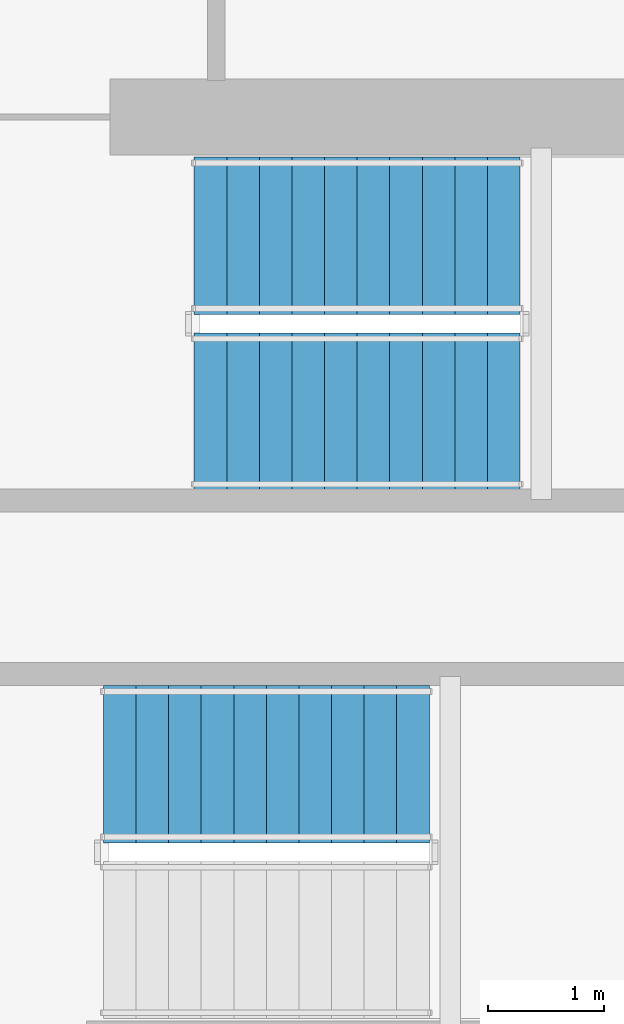
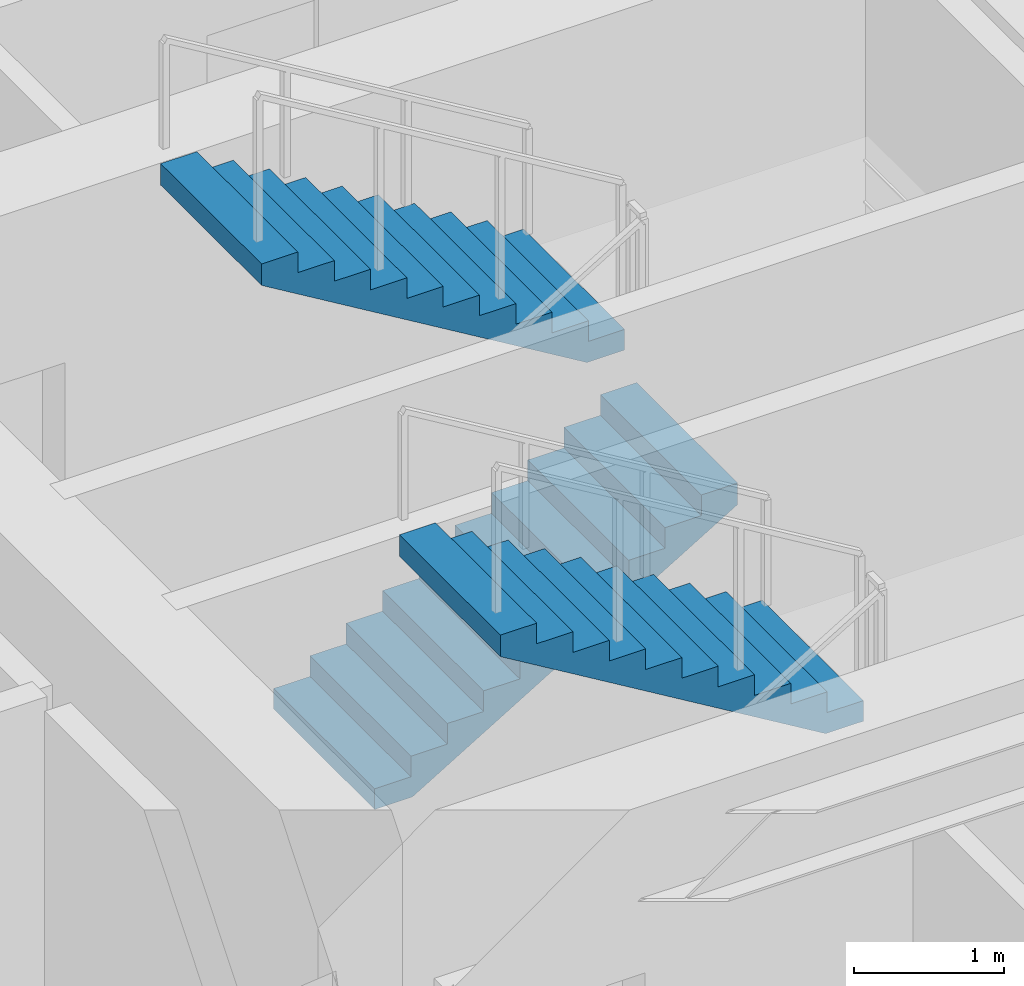
# One storey, part 19 of 23: 3 stair flights, 2 elements without a shape of their own.
"""IFC4 building model written with IfcOpenShell, lengths in metres."""

from ifc_helpers import new_model, si_unit, direction, frame, origin, place, context, subcontext, project, spatial, polyline, outline, extrude, material, type_object, element, aggregate, save


model = new_model("IFC4")

# Units and contexts
model_context = context("Model", 3, precision=1e-05, world=origin(), true_north=direction((0.0, 1.0)))
body_context = subcontext(model_context, "Body", "Model", "MODEL_VIEW")
ifc_project = project(units=[si_unit("LENGTHUNIT", "METRE"), si_unit("AREAUNIT", "SQUARE_METRE"), si_unit("VOLUMEUNIT", "CUBIC_METRE"), si_unit("PLANEANGLEUNIT", "RADIAN"), si_unit("MASSUNIT", "GRAM", prefix="KILO")], contexts=[model_context])

# Site, building, storey
site_placement = place(None, origin())
site = spatial("IfcSite", under=ifc_project, at=site_placement, CompositionType="ELEMENT")
building_placement = place(site_placement, origin())
building = spatial("IfcBuilding", under=site, at=building_placement, Name="Qianvela Tower", CompositionType="ELEMENT")
storey_placement = place(building_placement, frame((0.0, 0.0, 78.39990234375)))
storey = spatial("IfcBuildingStorey", under=building, at=storey_placement, Name="L19", CompositionType="ELEMENT", Elevation=78.39990234375)

# Stair, stair flights
ifc_material_1 = material(Name="Concrete C40", Category="concrete")
stair_type = type_object("IfcStairType", Name="ST-DOGLEG-1350-R168-N22", PredefinedType="HALF_TURN_STAIR", material=ifc_material_1)
stair_1_placement = place(storey_placement, origin())
stair_1 = element("IfcStair", 1, at=stair_1_placement, inside=storey, type_object=stair_type, Name="L19 Smoke-Proof Core Stair ST-1", PredefinedType="HALF_TURN_STAIR")
ifc_material_2 = material(Name="Concrete C40", Category="concrete")
stair_flight_type = type_object("IfcStairFlightType", Name="STF-STRAIGHT-R168-P11", PredefinedType="STRAIGHT", material=ifc_material_2)
stair_flight_1_placement = place(storey_placement, frame((32.199951171875, 30.215087890625, 0.0), z_axis=(0.0, 0.0, 1.0), x_axis=(1.0, 0.0, 0.0)))
stair_flight_1 = element("IfcStairFlight", 2, at=stair_flight_1_placement, type_object=stair_flight_type, Name="ST-1 flight 1", NumberOfRisers=11, NumberOfTreads=10, PredefinedType="STRAIGHT", RiserHeight=0.168181818, TreadLength=0.28, context=body_context, shape_type="SweptSolid", body=[
    extrude(outline(polyline([(0.0, 0.0), (0.0, 0.168212890625), (0.280029296875, 0.168212890625), (0.280029296875, 0.33642578125), (0.56005859375, 0.33642578125), (0.56005859375, 0.504638671875), (0.840087890625, 0.504638671875), (0.840087890625, 0.672607421875), (1.1201171875, 0.672607421875), (1.1201171875, 0.8408203125), (1.39990234375, 0.8408203125), (1.39990234375, 1.009033203125), (1.679931640625, 1.009033203125), (1.679931640625, 1.17724609375), (1.9599609375, 1.17724609375), (1.9599609375, 1.345458984375), (2.239990234375, 1.345458984375), (2.239990234375, 1.513671875), (2.52001953125, 1.513671875), (2.52001953125, 1.681884765625), (2.800048828125, 1.681884765625), (2.800048828125, 1.85009765625), (2.800048828125, 1.5068359375), (0.291015625, 0.0), (0.0, 0.0)])), frame((0.0, 0.675048828125, 0.0), z_axis=(0.0, -1.0, 0.0), x_axis=(1.0, 0.0, 0.0)), (0.0, 0.0, 1.0), 1.35009765625),
])
stair_flight_2_placement = place(storey_placement, frame((35.0, 31.72509765625, 1.85009765625), z_axis=(0.0, 0.0, 1.0), x_axis=(-1.0, 0.0, 0.0)))
stair_flight_2 = element("IfcStairFlight", 3, at=stair_flight_2_placement, type_object=stair_flight_type, Name="ST-1 flight 2", NumberOfRisers=11, NumberOfTreads=10, PredefinedType="STRAIGHT", RiserHeight=0.168181818, TreadLength=0.28, context=body_context, shape_type="SweptSolid", body=[
    extrude(outline(polyline([(0.0, 0.0), (0.0, 0.168212890625), (0.280029296875, 0.168212890625), (0.280029296875, 0.33642578125), (0.56005859375, 0.33642578125), (0.56005859375, 0.504638671875), (0.840087890625, 0.504638671875), (0.840087890625, 0.672607421875), (1.1201171875, 0.672607421875), (1.1201171875, 0.8408203125), (1.39990234375, 0.8408203125), (1.39990234375, 1.009033203125), (1.679931640625, 1.009033203125), (1.679931640625, 1.17724609375), (1.9599609375, 1.17724609375), (1.9599609375, 1.345458984375), (2.239990234375, 1.345458984375), (2.239990234375, 1.513671875), (2.52001953125, 1.513671875), (2.52001953125, 1.681884765625), (2.800048828125, 1.681884765625), (2.800048828125, 1.85009765625), (2.800048828125, 1.5068359375), (0.291015625, 0.0), (0.0, 0.0)])), frame((0.0, 0.675048828125, 0.0), z_axis=(0.0, -1.0, 0.0), x_axis=(1.0, 0.0, 0.0)), (0.0, 0.0, 1.0), 1.35009765625),
])
aggregate(stair_1, [stair_flight_1, stair_flight_2])

# Stair, stair flight
stair_2_placement = place(storey_placement, origin())
stair_2 = element("IfcStair", 4, at=stair_2_placement, inside=storey, type_object=stair_type, Name="L19 Smoke-Proof Core Stair ST-2", PredefinedType="HALF_TURN_STAIR")
stair_flight_3_placement = place(storey_placement, frame((34.219970703125, 27.18505859375, 1.85009765625), z_axis=(0.0, 0.0, 1.0), x_axis=(-1.0, 0.0, 0.0)))
stair_flight_3 = element("IfcStairFlight", 5, at=stair_flight_3_placement, type_object=stair_flight_type, Name="ST-2 flight 2", NumberOfRisers=11, NumberOfTreads=10, PredefinedType="STRAIGHT", RiserHeight=0.168181818, TreadLength=0.28, context=body_context, shape_type="SweptSolid", body=[
    extrude(outline(polyline([(0.0, 0.0), (0.0, 0.168212890625), (0.280029296875, 0.168212890625), (0.280029296875, 0.33642578125), (0.56005859375, 0.33642578125), (0.56005859375, 0.504638671875), (0.840087890625, 0.504638671875), (0.840087890625, 0.672607421875), (1.1201171875, 0.672607421875), (1.1201171875, 0.8408203125), (1.39990234375, 0.8408203125), (1.39990234375, 1.009033203125), (1.679931640625, 1.009033203125), (1.679931640625, 1.17724609375), (1.9599609375, 1.17724609375), (1.9599609375, 1.345458984375), (2.239990234375, 1.345458984375), (2.239990234375, 1.513671875), (2.52001953125, 1.513671875), (2.52001953125, 1.681884765625), (2.800048828125, 1.681884765625), (2.800048828125, 1.85009765625), (2.800048828125, 1.5068359375), (0.291015625, 0.0), (0.0, 0.0)])), frame((0.0, 0.675048828125, 0.0), z_axis=(0.0, -1.0, 0.0), x_axis=(1.0, 0.0, 0.0)), (0.0, 0.0, 1.0), 1.35009765625),
])
aggregate(stair_2, [stair_flight_3])

save(model, "model.ifc")
